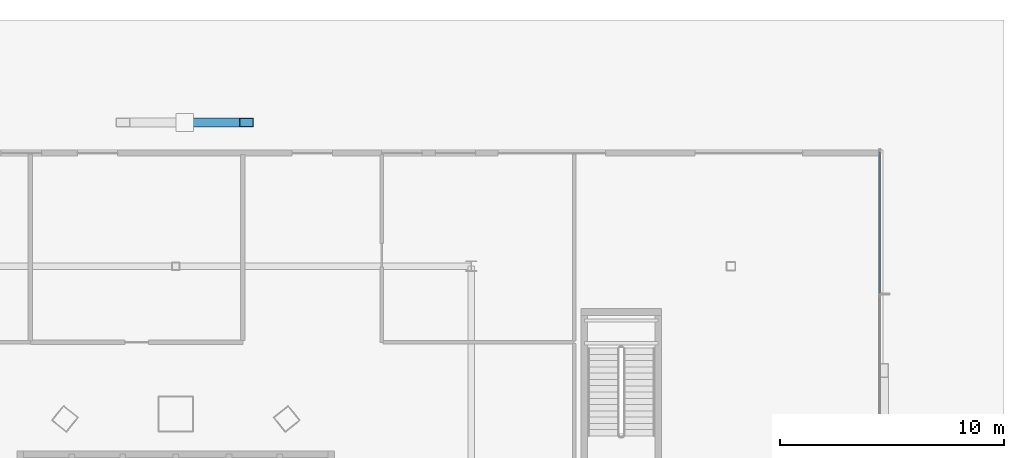
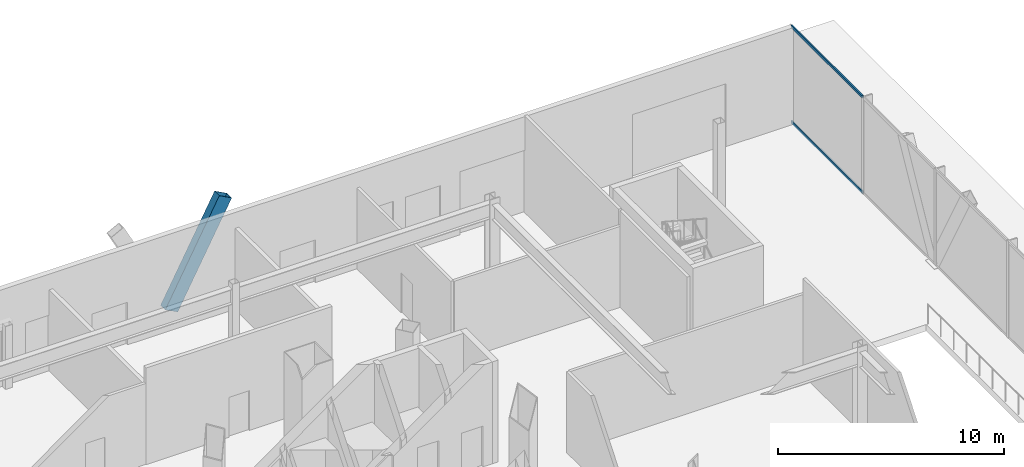
# One storey, part 24 of 38: 3 members, 1 element without a shape of its own.
"""IFC4 building model written with IfcOpenShell, lengths in metres."""

from ifc_helpers import new_model, si_unit, direction, frame, origin, origin_2d, place, context, subcontext, project, spatial, hollow_rectangle, extrude, material, layer, layer_set, material_profile, profile_set, type_object, element, aggregate, save


model = new_model("IFC4")

# Units and contexts
model_context = context("Model", 3, precision=1e-05, world=origin(), true_north=direction((0.0, 1.0)))
body_context = subcontext(model_context, "Body", "Model", "MODEL_VIEW")
ifc_project = project(units=[si_unit("LENGTHUNIT", "METRE"), si_unit("AREAUNIT", "SQUARE_METRE"), si_unit("VOLUMEUNIT", "CUBIC_METRE"), si_unit("PLANEANGLEUNIT", "RADIAN"), si_unit("MASSUNIT", "GRAM", prefix="KILO")], contexts=[model_context])

# Site, building, storey
site_placement = place(None, origin())
site = spatial("IfcSite", under=ifc_project, at=site_placement, CompositionType="ELEMENT")
building_placement = place(site_placement, origin())
building = spatial("IfcBuilding", under=site, at=building_placement, Name="Orvanel Arch Residences", CompositionType="ELEMENT")
storey_placement = place(building_placement, origin())
storey = spatial("IfcBuildingStorey", under=building, at=storey_placement, Name="L00", CompositionType="ELEMENT", Elevation=0.0)

# Member
ifc_material_1 = material(Name="Structural steel AS/NZS 3678 Grade 350", Category="steel")
ifc_material_profile_1 = material_profile(ifc_material_1, hollow_rectangle(XDim=0.419921875, YDim=0.719970703125, WallThickness=0.02490234375, at=origin_2d()), Name="RHS720x420x25")
ifc_profile_set_1 = profile_set([ifc_material_profile_1], Name="Structural steel AS/NZS 3678 Grade 350")
member_type_1 = type_object("IfcMemberType", Name="BR-720RHS-EXT", PredefinedType="BRACE", material=ifc_profile_set_1)
member_1_placement = place(storey_placement, frame((33.39990234375, 54.419921875, 0.0), z_axis=(0.468699295337, 0.0, 0.883357781734), x_axis=(0.0, 1.0, 0.0)))
element("IfcMember", 1, at=member_1_placement, inside=storey, type_object=member_type_1, Name="L00 Podium Multi-Storey V-Strut Pair N2 Leg 2", PredefinedType="BRACE", context=body_context, shape_type="SweptSolid", body=[
    extrude(hollow_rectangle(XDim=0.419921875, YDim=0.719970703125, WallThickness=0.02490234375, at=origin_2d()), origin(), (0.0, 0.0, 1.0), 5.886474609375),
])

# Curtain wall, members
ifc_material_2 = material(Name="Bronze-anodised aluminium AA6063-T6", Category="aluminium")
ifc_layer = layer(ifc_material_2, 0.199951171875)
ifc_layer_set = layer_set([ifc_layer], Name="Bronze-anodised aluminium AA6063-T6")
curtain_wall_type = type_object("IfcCurtainWallType", Name="CW1-POD-SYS", PredefinedType="NOTDEFINED", material=ifc_layer_set)
curtain_wall_placement = place(storey_placement, origin())
curtain_wall = element("IfcCurtainWall", 2, at=curtain_wall_placement, inside=storey, type_object=curtain_wall_type, Name="L00 CW1-POD-SYS Unitised Curtain Wall", PredefinedType="NOTDEFINED")
ifc_material_profile_2 = material_profile(ifc_material_2, hollow_rectangle(XDim=0.06494140625, YDim=0.14990234375, WallThickness=0.00390625, at=origin_2d()), Name="ALU150x65x4")
ifc_profile_set_2 = profile_set([ifc_material_profile_2], Name="Bronze-anodised aluminium AA6063-T6")
member_type_2 = type_object("IfcMemberType", Name="TRN-150x65", PredefinedType="USERDEFINED", material=ifc_profile_set_2)
member_2_placement = place(storey_placement, frame((64.449951171875, 46.8037109375, 0.032470703125), z_axis=(0.0, 1.0, 0.0), x_axis=(-1.0, 0.0, 0.0)))
member_2 = element("IfcMember", 3, at=member_2_placement, type_object=member_type_2, Name="CW-S1 transom 8.1", ObjectType="TRANSOM", PredefinedType="USERDEFINED", context=body_context, shape_type="SweptSolid", body=[
    extrude(hollow_rectangle(XDim=0.06494140625, YDim=0.14990234375, WallThickness=0.00390625, at=origin_2d()), origin(), (0.0, 0.0, 1.0), 6.30126953125),
])
member_3_placement = place(storey_placement, frame((64.449951171875, 46.8037109375, 5.1875), z_axis=(0.0, 1.0, 0.0), x_axis=(-1.0, 0.0, 0.0)))
member_3 = element("IfcMember", 4, at=member_3_placement, type_object=member_type_2, Name="CW-S1 transom 8.2", ObjectType="TRANSOM", PredefinedType="USERDEFINED", context=body_context, shape_type="SweptSolid", body=[
    extrude(hollow_rectangle(XDim=0.06494140625, YDim=0.14990234375, WallThickness=0.00390625, at=origin_2d()), origin(), (0.0, 0.0, 1.0), 6.30126953125),
])
aggregate(curtain_wall, [member_2, member_3])

save(model, "model.ifc")
